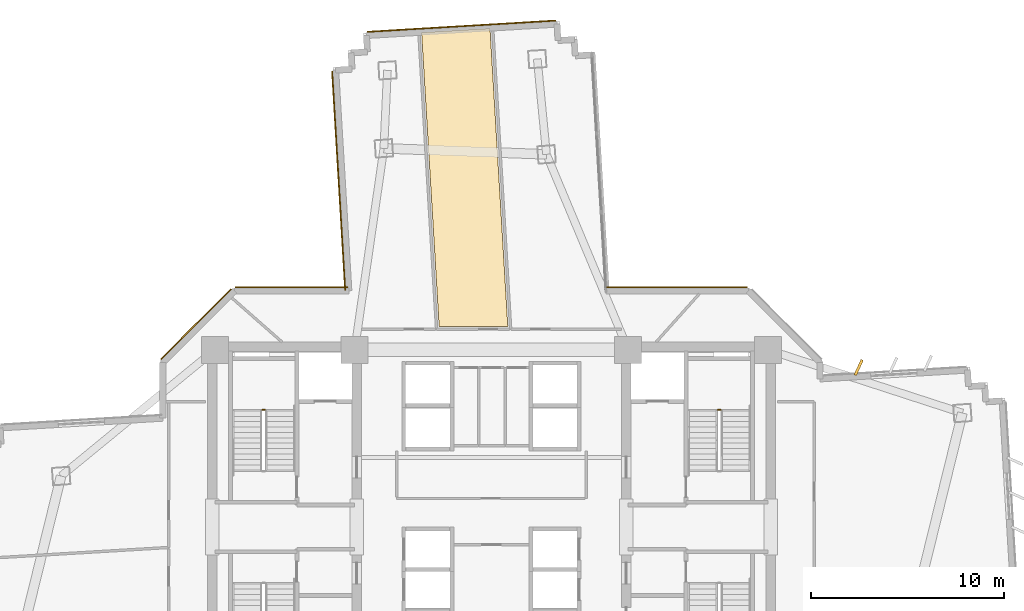
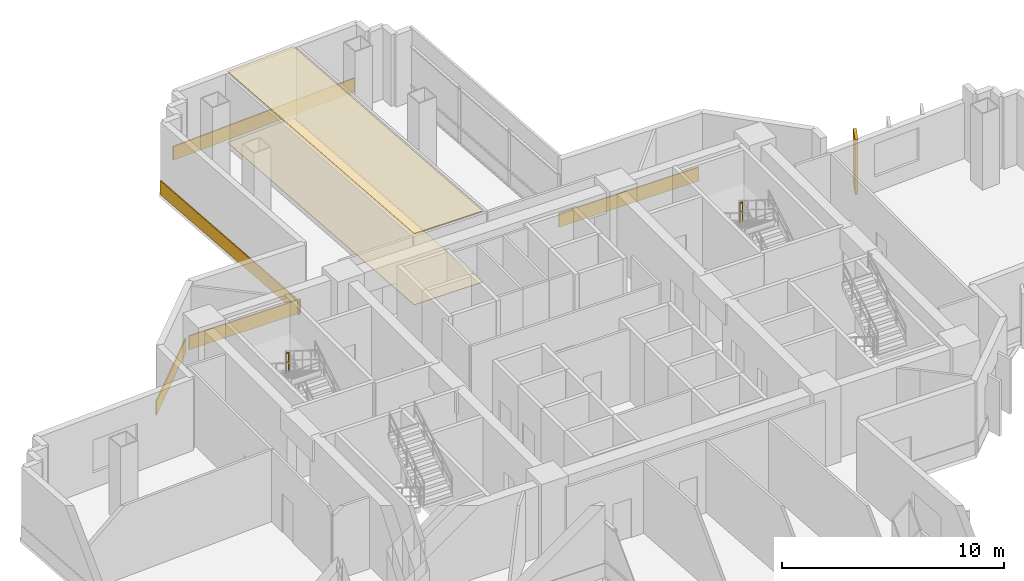
# One storey, part 14 of 15: 8 coverings, 2 railings.
"""IFC4 building model written with IfcOpenShell, lengths in metres."""

from ifc_helpers import new_model, si_unit, direction, frame, origin, origin_2d, place, context, subcontext, project, spatial, polyline, rectangle, outline, extrude, source, transform, mapped, material, layer, layer_set, type_object, element, save


model = new_model("IFC4")

# Units and contexts
model_context = context("Model", 3, precision=1e-05, world=origin(), true_north=direction((0.0, 1.0)))
body_context = subcontext(model_context, "Body", "Model", "MODEL_VIEW")
ifc_project = project(units=[si_unit("LENGTHUNIT", "METRE"), si_unit("AREAUNIT", "SQUARE_METRE"), si_unit("VOLUMEUNIT", "CUBIC_METRE"), si_unit("PLANEANGLEUNIT", "RADIAN"), si_unit("MASSUNIT", "GRAM", prefix="KILO")], contexts=[model_context])

# Site, building, storey
site_placement = place(None, origin())
site = spatial("IfcSite", under=ifc_project, at=site_placement, CompositionType="ELEMENT")
building_placement = place(site_placement, origin())
building = spatial("IfcBuilding", under=site, at=building_placement, Name="Zahravan Cultural Tower", CompositionType="ELEMENT")
storey_placement = place(building_placement, frame((0.0, 0.0, 66.89990234375)))
storey = spatial("IfcBuildingStorey", under=building, at=storey_placement, Name="L14", CompositionType="ELEMENT", Elevation=66.89990234375)

# Coverings
ifc_material_1 = material(Name="Acoustic mineral fibreboard")
ifc_layer_1 = layer(ifc_material_1, 0.0400390625)
ifc_layer_set_1 = layer_set([ifc_layer_1], Name="Acoustic mineral fibreboard")
covering_type_1 = type_object("IfcCoveringType", Name="COV-CEIL-AC20", PredefinedType="CEILING", material=ifc_layer_set_1)
covering_1_placement = place(storey_placement, frame((0.0, 0.0, 3.91015625)))
element("IfcCovering", 1, at=covering_1_placement, inside=storey, type_object=covering_type_1, Name="L14 Acoustic Suspended Ceiling", PredefinedType="CEILING", context=body_context, shape_type="SweptSolid", body=[
    extrude(outline(polyline([(32.372314453125, 52.669189453125), (33.284912109375, 37.39990234375), (36.85107421875, 37.39990234375), (35.92578125, 52.881591796875), (32.372314453125, 52.669189453125)])), origin(), (0.0, 0.0, 1.0), 0.0400390625),
])
ifc_material_2 = material(Name="Terrazzo flooring")
ifc_layer_2 = layer(ifc_material_2, 0.02490234375)
ifc_layer_set_2 = layer_set([ifc_layer_2], Name="Terrazzo flooring")
covering_type_2 = type_object("IfcCoveringType", Name="COV-FLR-TZ25", PredefinedType="FLOORING", material=ifc_layer_set_2)
covering_2_placement = place(storey_placement, origin())
element("IfcCovering", 2, at=covering_2_placement, inside=storey, type_object=covering_type_2, Name="L14 Polished Terrazzo Flooring", PredefinedType="FLOORING", context=body_context, shape_type="SweptSolid", body=[
    extrude(outline(polyline([(32.372314453125, 52.669189453125), (33.284912109375, 37.39990234375), (36.85107421875, 37.39990234375), (35.92578125, 52.881591796875), (32.372314453125, 52.669189453125)])), origin(), (0.0, 0.0, 1.0), 0.025146484375),
])

# Railings
ifc_material_3 = material(Name="Steel ASTM A572 Grade 50", Category="steel")
railing_type = type_object("IfcRailingType", Name="RL-STAIR-GRD1150", PredefinedType="BALUSTRADE", material=ifc_material_3)
for number, where, name in (
    (3, (24.25, 33.080078125, 2.10009765625), "L14 ST-W1 stair guard 2"),
    (4, (47.89990234375, 33.080078125, 2.10009765625), "L14 ST-E1 stair guard 2"),
):
    element("IfcRailing", number, at=place(storey_placement, frame(where)), inside=storey, type_object=railing_type, Name=name, PredefinedType="BALUSTRADE", context=body_context, shape_type="SweptSolid", body=[
        extrude(rectangle(XDim=0.05, YDim=0.05, at=origin_2d()), frame((0.0, 0.0, 1.0751953125), z_axis=(-1.0, 0.0, 0.0), x_axis=(0.0, -1.0, 0.0)), (0.0, 0.0, 1.0), 0.14990234375),
        extrude(rectangle(XDim=0.032, YDim=0.032, at=origin_2d()), frame((0.0, 0.0, 0.572021484375), z_axis=(-1.0, 0.0, 0.0), x_axis=(0.0, -1.0, 0.0)), (0.0, 0.0, 1.0), 0.14990234375),
        extrude(rectangle(XDim=0.04, YDim=0.04, at=origin_2d()), origin(), (0.0, 0.0, 1.0), 1.10009765625),
        extrude(rectangle(XDim=0.04, YDim=0.04, at=origin_2d()), frame((-0.14990234375, 0.0, 0.0)), (0.0, 0.0, 1.0), 1.10009765625),
    ])

# Coverings
ifc_material_4 = material(Name="Terracotta ceramic cladding", Category="masonry")
ifc_layer_3 = layer(ifc_material_4, 0.06005859375)
ifc_layer_set_3 = layer_set([ifc_layer_3], Name="Terracotta ceramic cladding")
covering_type_3 = type_object("IfcCoveringType", Name="COV-CLAD-TC60", PredefinedType="CLADDING", material=ifc_layer_set_3)
shared_shape_1 = source(origin(), body_context, "Body", "SweptSolid", [
    extrude(rectangle(XDim=9.820068359375, YDim=0.06005859375, at=origin_2d()), origin(), (0.0, 0.0, 1.0), 0.760009765625),
])
covering_3_placement = place(storey_placement, frame((34.4462890625, 52.99853515625, 0.02001953125), z_axis=(0.0, 0.0, 1.0), x_axis=(0.998219065278, 0.05965482139, 0.0)))
element("IfcCovering", 5, at=covering_3_placement, inside=storey, type_object=covering_type_3, Name="L14 Terracotta Spandrel Cladding 47", PredefinedType="CLADDING", context=body_context, shape_type="MappedRepresentation", body=[
    mapped(shared_shape_1, transform((0.0, 0.0, 0.0), x_axis=(1.0, 0.0, 0.0), y_axis=(0.0, 1.0, 0.0), z_axis=(0.0, 0.0, 1.0), scale=1.0)),
])
shared_shape_2 = source(origin(), body_context, "Body", "SweptSolid", [
    extrude(rectangle(XDim=5.157958984375, YDim=0.06005859375, at=origin_2d()), origin(), (0.0, 0.0, 1.0), 0.760009765625),
])
covering_4_placement = place(storey_placement, frame((20.668212890625, 37.53173828125, 0.02001953125), z_axis=(0.0, 0.0, 1.0), x_axis=(0.707106781187, 0.707106781187, 0.0)))
element("IfcCovering", 6, at=covering_4_placement, inside=storey, type_object=covering_type_3, Name="L14 Terracotta Spandrel Cladding 40", PredefinedType="CLADDING", context=body_context, shape_type="MappedRepresentation", body=[
    mapped(shared_shape_2, transform((0.0, 0.0, 0.0), x_axis=(1.0, 0.0, 0.0), y_axis=(0.0, 1.0, 0.0), z_axis=(0.0, 0.0, 1.0), scale=1.0)),
])
shared_shape_3 = source(origin(), body_context, "Body", "SweptSolid", [
    extrude(rectangle(XDim=0.8798828125, YDim=0.139892578125, at=origin_2d()), origin(), (0.0, 0.0, 1.0), 3.030029296875),
])
covering_5_placement = place(storey_placement, frame((55.064208984375, 35.281982421875, 0.05029296875), z_axis=(0.0, 0.0, 1.0), x_axis=(0.41596338363, 0.909381363059, 0.0)))
element("IfcCovering", 7, at=covering_5_placement, inside=storey, type_object=covering_type_3, Name="L14 Herringbone Terracotta Fin 01", PredefinedType="CLADDING", context=body_context, shape_type="MappedRepresentation", body=[
    mapped(shared_shape_3, transform((0.0, 0.0, 0.0), x_axis=(1.0, 0.0, 0.0), y_axis=(0.0, 1.0, 0.0), z_axis=(0.0, 0.0, 1.0), scale=1.0)),
])
shared_shape_4 = source(origin(), body_context, "Body", "SweptSolid", [
    extrude(rectangle(XDim=5.83740234375, YDim=0.06005859375, at=origin_2d()), origin(), (0.0, 0.0, 1.0), 0.760009765625),
])
covering_6_placement = place(storey_placement, frame((25.626708984375, 39.445068359375, 0.02001953125), z_axis=(0.0, 0.0, 1.0), x_axis=(1.0, 0.0, 0.0)))
element("IfcCovering", 8, at=covering_6_placement, inside=storey, type_object=covering_type_3, Name="L14 Terracotta Spandrel Cladding 41", PredefinedType="CLADDING", context=body_context, shape_type="MappedRepresentation", body=[
    mapped(shared_shape_4, transform((0.0, 0.0, 0.0), x_axis=(1.0, 0.0, 0.0), y_axis=(0.0, 1.0, 0.0), z_axis=(0.0, 0.0, 1.0), scale=1.0)),
])
shared_shape_5 = source(origin(), body_context, "Body", "SweptSolid", [
    extrude(rectangle(XDim=11.380126953125, YDim=0.06005859375, at=origin_2d()), origin(), (0.0, 0.0, 1.0), 0.760009765625),
])
covering_7_placement = place(storey_placement, frame((28.068359375, 44.978759765625, 0.02001953125), z_axis=(0.0, 0.0, 1.0), x_axis=(-0.05965482139, 0.998219065278, 0.0)))
element("IfcCovering", 9, at=covering_7_placement, inside=storey, type_object=covering_type_3, Name="L14 Terracotta Spandrel Cladding 42", PredefinedType="CLADDING", context=body_context, shape_type="MappedRepresentation", body=[
    mapped(shared_shape_5, transform((0.0, 0.0, 0.0), x_axis=(1.0, 0.0, 0.0), y_axis=(0.0, 1.0, 0.0), z_axis=(0.0, 0.0, 1.0), scale=1.0)),
])
shared_shape_6 = source(origin(), body_context, "Body", "SweptSolid", [
    extrude(rectangle(XDim=7.302734375, YDim=0.06005859375, at=origin_2d()), origin(), (0.0, 0.0, 1.0), 0.760009765625),
])
covering_8_placement = place(storey_placement, frame((45.640625, 39.445068359375, 0.02001953125), z_axis=(0.0, 0.0, 1.0), x_axis=(1.0, 0.0, 0.0)))
element("IfcCovering", 10, at=covering_8_placement, inside=storey, type_object=covering_type_3, Name="L14 Terracotta Spandrel Cladding 52", PredefinedType="CLADDING", context=body_context, shape_type="MappedRepresentation", body=[
    mapped(shared_shape_6, transform((0.0, 0.0, 0.0), x_axis=(1.0, 0.0, 0.0), y_axis=(0.0, 1.0, 0.0), z_axis=(0.0, 0.0, 1.0), scale=1.0)),
])

save(model, "model.ifc")
